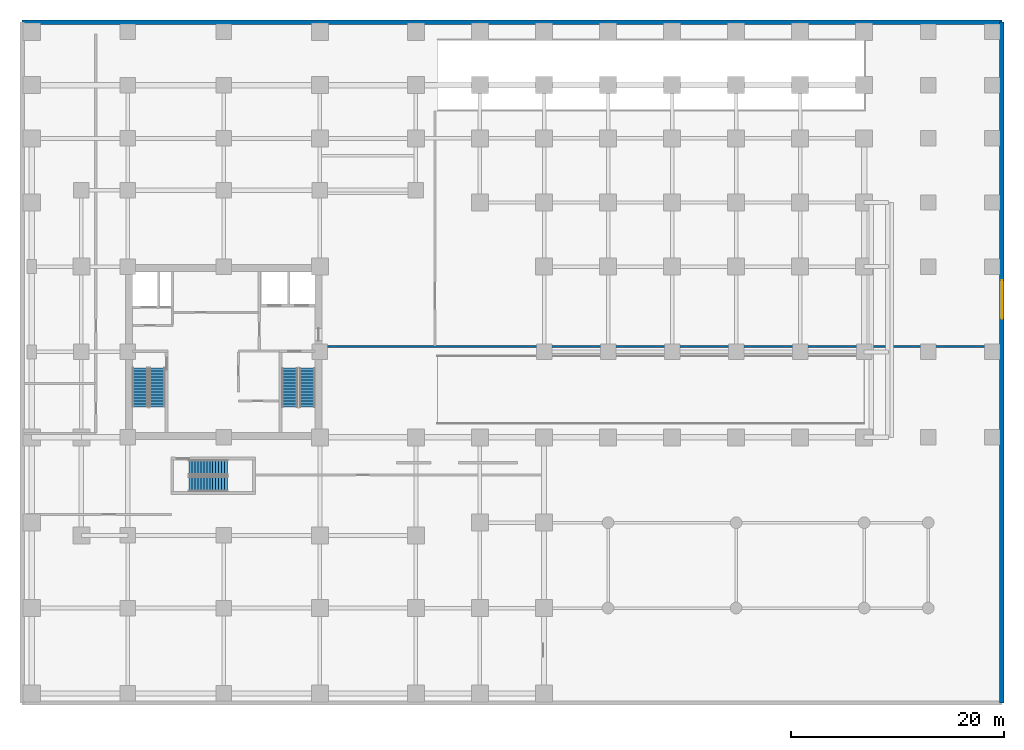
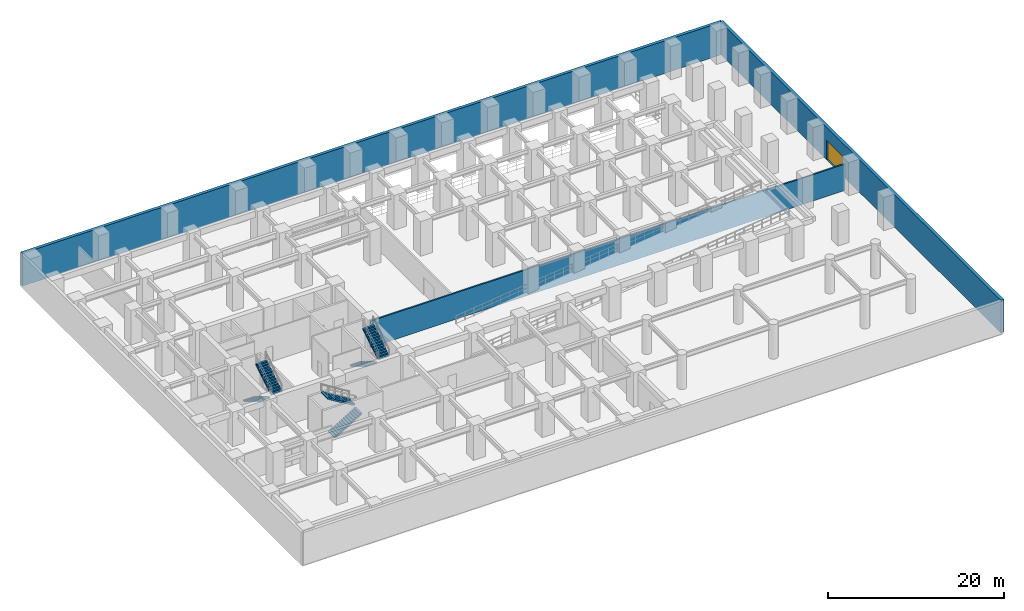
# One storey, part 7 of 9: 6 stair flights, 3 walls, 1 door, 1 opening, 3 elements without a shape of their own.
"""IFC4 building model written with IfcOpenShell, lengths in metres."""

from ifc_helpers import new_model, si_unit, direction, frame, frame_2d, origin, place, context, subcontext, project, spatial, polyline, rectangle, outline, extrude, source, transform, mapped, material, layer, layer_set, type_object, element, fill, aggregate, save


model = new_model("IFC4")

# Units and contexts
model_context = context("Model", 3, precision=1e-05, world=origin(), true_north=direction((0.0, 1.0)))
body_context = subcontext(model_context, "Body", "Model", "MODEL_VIEW")
ifc_project = project(units=[si_unit("LENGTHUNIT", "METRE"), si_unit("AREAUNIT", "SQUARE_METRE"), si_unit("VOLUMEUNIT", "CUBIC_METRE"), si_unit("PLANEANGLEUNIT", "RADIAN"), si_unit("MASSUNIT", "GRAM", prefix="KILO")], contexts=[model_context])

# Site, building, storey
site_placement = place(None, origin())
site = spatial("IfcSite", under=ifc_project, at=site_placement, CompositionType="ELEMENT")
building_placement = place(site_placement, origin())
building = spatial("IfcBuilding", under=site, at=building_placement, Name="Torre Montelarca", CompositionType="ELEMENT")
storey_placement = place(building_placement, frame((0.0, 0.0, -4.800048828125)))
storey = spatial("IfcBuildingStorey", under=building, at=storey_placement, Name="B1", CompositionType="ELEMENT", Elevation=-4.800048828125)

# Wall, opening, door
ifc_material_1 = material(Name="Concrete C40/50", Category="concrete")
ifc_layer_1 = layer(ifc_material_1, 0.39990234375, Name="Concrete C40/50", Category="concrete")
ifc_layer_set_1 = layer_set([ifc_layer_1], Name="Concrete C40/50")
wall_type_1 = type_object("IfcWallType", Name="EW-RET-400", PredefinedType="USERDEFINED", material=ifc_layer_set_1)
wall_1_placement = place(storey_placement, frame((90.89990234375, -0.89990234375, 0.0), z_axis=(0.0, 0.0, 1.0), x_axis=(0.0, 1.0, 0.0)))
wall_1 = element("IfcWall", 1, at=wall_1_placement, inside=storey, type_object=wall_type_1, Name="B1 Perimeter Basement Retaining Wall 02", ObjectType="RETAINING WALL", PredefinedType="USERDEFINED", context=body_context, shape_type="SweptSolid", body=[
    extrude(rectangle(XDim=63.7998046875, YDim=0.39990234375, at=frame_2d((31.89990234375, 0.0))), origin(), (0.0, 0.0, 1.0), 4.52001953125),
])
opening_placement = place(wall_1_placement, frame((36.0, 0.0, 0.0)))
opening = element("IfcOpeningElement", 2, at=opening_placement, cuts=wall_1, Name="Opening VG-02", PredefinedType="OPENING", context=body_context, shape_type="SweptSolid", body=[
    extrude(rectangle(XDim=3.60009765625, YDim=2.699951171875, at=frame_2d((1.800048828125, 1.35009765625))), frame((0.0, 0.2099609375, 0.0), z_axis=(0.0, -1.0, 0.0), x_axis=(1.0, 0.0, 0.0)), (0.0, 0.0, 1.0), 0.419921875),
])
ifc_material_2 = material(Name="Powder-coated galvanized steel and safety glass", Category="steel")
door_type = type_object("IfcDoorType", Name="DR-LOAD-GATE", OperationType="ROLLINGUP", PredefinedType="GATE", material=ifc_material_2)
shared_shape = source(origin(), body_context, "Body", "SweptSolid", [
    extrude(rectangle(XDim=3.60009765625, YDim=2.699951171875, at=frame_2d((1.800048828125, 1.35009765625))), frame((0.0, 0.02490234375, 0.0), z_axis=(0.0, -1.0, 0.0), x_axis=(1.0, 0.0, 0.0)), (0.0, 0.0, 1.0), 0.050048828125),
])
door_placement = place(opening_placement, origin())
door = element("IfcDoor", 3, at=door_placement, inside=storey, type_object=door_type, Name="B1 Loading Bay Subterranean Service Shutter Gate", OperationType="ROLLINGUP", OverallHeight=2.699951171875, OverallWidth=3.60009765625, PredefinedType="GATE", context=body_context, shape_type="MappedRepresentation", body=[
    mapped(shared_shape, transform((0.0, 0.0, 0.0), scale=1.0)),
])
fill(opening, door)

# Walls
wall_2_placement = place(storey_placement, frame((90.89990234375, 62.89990234375, 0.0), z_axis=(0.0, 0.0, 1.0), x_axis=(-1.0, 0.0, 0.0)))
element("IfcWall", 4, at=wall_2_placement, inside=storey, type_object=wall_type_1, Name="B1 Perimeter Basement Retaining Wall 03", ObjectType="RETAINING WALL", PredefinedType="USERDEFINED", context=body_context, shape_type="SweptSolid", body=[
    extrude(rectangle(XDim=91.7998046875, YDim=0.39990234375, at=frame_2d((45.89990234375, 0.0))), origin(), (0.0, 0.0, 1.0), 4.52001953125),
])
ifc_material_3 = material(Name="Gypsum fireboard and rockwool on steel stud", Category="steel")
ifc_layer_2 = layer(ifc_material_3, 0.199951171875, Name="Gypsum fireboard and rockwool on steel stud", Category="steel")
ifc_layer_set_2 = layer_set([ifc_layer_2], Name="Gypsum fireboard and rockwool on steel stud")
wall_type_2 = type_object("IfcWallType", Name="PW-FIRE-200", PredefinedType="SOLIDWALL", material=ifc_layer_set_2)
wall_3_placement = place(storey_placement, frame((27.239990234375, 32.5, 0.0), z_axis=(0.0, 0.0, 1.0), x_axis=(1.0, 0.0, 0.0)))
element("IfcWall", 5, at=wall_3_placement, inside=storey, type_object=wall_type_2, Name="B1 Interior Partition W-B1-P5S", PredefinedType="SOLIDWALL", context=body_context, shape_type="SweptSolid", body=[
    extrude(rectangle(XDim=62.219970703125, YDim=0.199951171875, at=frame_2d((31.10986328125, 0.0))), origin(), (0.0, 0.0, 1.0), 3.655029296875),
])

# Stair, stair flights
stair_type_1 = type_object("IfcStairType", Name="ST-CORE-ST1", PredefinedType="HALF_TURN_STAIR", material=ifc_material_1)
stair_1_placement = place(storey_placement, origin())
stair_1 = element("IfcStair", 6, at=stair_1_placement, inside=storey, type_object=stair_type_1, Name="B1 Protected Exit Stair ST1", PredefinedType="HALF_TURN_STAIR")
stair_flight_type_1 = type_object("IfcStairFlightType", Name="SFL-CORE-ST1", PredefinedType="STRAIGHT", material=ifc_material_1)
stair_flight_1_placement = place(storey_placement, frame((10.175048828125, 30.5, 0.0), z_axis=(0.0, 0.0, 1.0), x_axis=(0.0, -1.0, 0.0)))
stair_flight_1 = element("IfcStairFlight", 7, at=stair_flight_1_placement, type_object=stair_flight_type_1, Name="ST1 flight 1", NumberOfRisers=14, NumberOfTreads=13, PredefinedType="STRAIGHT", RiserHeight=0.171428571, TreadLength=0.28, context=body_context, shape_type="SweptSolid", body=[
    extrude(outline(polyline([(0.0, 0.0), (0.0, 0.17138671875), (0.280029296875, 0.17138671875), (0.280029296875, 0.3427734375), (0.56005859375, 0.3427734375), (0.56005859375, 0.514404296875), (0.840087890625, 0.514404296875), (0.840087890625, 0.685791015625), (1.1201171875, 0.685791015625), (1.1201171875, 0.857177734375), (1.39990234375, 0.857177734375), (1.39990234375, 1.028564453125), (1.679931640625, 1.028564453125), (1.679931640625, 1.199951171875), (1.9599609375, 1.199951171875), (1.9599609375, 1.371337890625), (2.239990234375, 1.371337890625), (2.239990234375, 1.54296875), (2.52001953125, 1.54296875), (2.52001953125, 1.71435546875), (2.800048828125, 1.71435546875), (2.800048828125, 1.8857421875), (3.080078125, 1.8857421875), (3.080078125, 2.05712890625), (3.360107421875, 2.05712890625), (3.360107421875, 2.228515625), (3.639892578125, 2.228515625), (3.639892578125, 2.39990234375), (3.639892578125, 2.052734375), (0.287109375, 0.0), (0.0, 0.0)])), frame((0.0, 0.72509765625, 0.0), z_axis=(0.0, -1.0, 0.0), x_axis=(1.0, 0.0, 0.0)), (0.0, 0.0, 1.0), 1.449951171875),
])
stair_flight_2_placement = place(storey_placement, frame((11.77490234375, 26.860107421875, 2.400146484375), z_axis=(0.0, 0.0, 1.0), x_axis=(0.0, 1.0, 0.0)))
stair_flight_2 = element("IfcStairFlight", 8, at=stair_flight_2_placement, type_object=stair_flight_type_1, Name="ST1 flight 2", NumberOfRisers=14, NumberOfTreads=13, PredefinedType="STRAIGHT", RiserHeight=0.171428571, TreadLength=0.28, context=body_context, shape_type="SweptSolid", body=[
    extrude(outline(polyline([(0.0, 0.0), (0.0, 0.17138671875), (0.280029296875, 0.17138671875), (0.280029296875, 0.3427734375), (0.56005859375, 0.3427734375), (0.56005859375, 0.514404296875), (0.840087890625, 0.514404296875), (0.840087890625, 0.685791015625), (1.1201171875, 0.685791015625), (1.1201171875, 0.857177734375), (1.39990234375, 0.857177734375), (1.39990234375, 1.028564453125), (1.679931640625, 1.028564453125), (1.679931640625, 1.199951171875), (1.9599609375, 1.199951171875), (1.9599609375, 1.371337890625), (2.239990234375, 1.371337890625), (2.239990234375, 1.54296875), (2.52001953125, 1.54296875), (2.52001953125, 1.71435546875), (2.800048828125, 1.71435546875), (2.800048828125, 1.8857421875), (3.080078125, 1.8857421875), (3.080078125, 2.05712890625), (3.360107421875, 2.05712890625), (3.360107421875, 2.228515625), (3.639892578125, 2.228515625), (3.639892578125, 2.39990234375), (3.639892578125, 2.052734375), (0.287109375, 0.0), (0.0, 0.0)])), frame((0.0, 0.72509765625, 0.0), z_axis=(0.0, -1.0, 0.0), x_axis=(1.0, 0.0, 0.0)), (0.0, 0.0, 1.0), 1.449951171875),
])
aggregate(stair_1, [stair_flight_1, stair_flight_2])

stair_type_2 = type_object("IfcStairType", Name="ST-CORE-ST2", PredefinedType="HALF_TURN_STAIR", material=ifc_material_1)
stair_2_placement = place(storey_placement, origin())
stair_2 = element("IfcStair", 9, at=stair_2_placement, inside=storey, type_object=stair_type_2, Name="B1 Protected Exit Stair ST2", PredefinedType="HALF_TURN_STAIR")
stair_flight_type_2 = type_object("IfcStairFlightType", Name="SFL-CORE-ST2", PredefinedType="STRAIGHT", material=ifc_material_1)
stair_flight_3_placement = place(storey_placement, frame((24.179931640625, 30.469970703125, 0.0), z_axis=(0.0, 0.0, 1.0), x_axis=(0.0, -1.0, 0.0)))
stair_flight_3 = element("IfcStairFlight", 10, at=stair_flight_3_placement, type_object=stair_flight_type_2, Name="ST2 flight 1", NumberOfRisers=14, NumberOfTreads=13, PredefinedType="STRAIGHT", RiserHeight=0.171428571, TreadLength=0.28, context=body_context, shape_type="SweptSolid", body=[
    extrude(outline(polyline([(0.0, 0.0), (0.0, 0.17138671875), (0.280029296875, 0.17138671875), (0.280029296875, 0.3427734375), (0.56005859375, 0.3427734375), (0.56005859375, 0.514404296875), (0.840087890625, 0.514404296875), (0.840087890625, 0.685791015625), (1.1201171875, 0.685791015625), (1.1201171875, 0.857177734375), (1.39990234375, 0.857177734375), (1.39990234375, 1.028564453125), (1.679931640625, 1.028564453125), (1.679931640625, 1.199951171875), (1.9599609375, 1.199951171875), (1.9599609375, 1.371337890625), (2.239990234375, 1.371337890625), (2.239990234375, 1.54296875), (2.52001953125, 1.54296875), (2.52001953125, 1.71435546875), (2.800048828125, 1.71435546875), (2.800048828125, 1.8857421875), (3.080078125, 1.8857421875), (3.080078125, 2.05712890625), (3.360107421875, 2.05712890625), (3.360107421875, 2.228515625), (3.639892578125, 2.228515625), (3.639892578125, 2.39990234375), (3.639892578125, 2.052734375), (0.287109375, 0.0), (0.0, 0.0)])), frame((0.0, 0.739990234375, 0.0), z_axis=(0.0, -1.0, 0.0), x_axis=(1.0, 0.0, 0.0)), (0.0, 0.0, 1.0), 1.47998046875),
])
stair_flight_4_placement = place(storey_placement, frame((25.81005859375, 26.830078125, 2.400146484375), z_axis=(0.0, 0.0, 1.0), x_axis=(0.0, 1.0, 0.0)))
stair_flight_4 = element("IfcStairFlight", 11, at=stair_flight_4_placement, type_object=stair_flight_type_2, Name="ST2 flight 2", NumberOfRisers=14, NumberOfTreads=13, PredefinedType="STRAIGHT", RiserHeight=0.171428571, TreadLength=0.28, context=body_context, shape_type="SweptSolid", body=[
    extrude(outline(polyline([(0.0, 0.0), (0.0, 0.17138671875), (0.280029296875, 0.17138671875), (0.280029296875, 0.3427734375), (0.56005859375, 0.3427734375), (0.56005859375, 0.514404296875), (0.840087890625, 0.514404296875), (0.840087890625, 0.685791015625), (1.1201171875, 0.685791015625), (1.1201171875, 0.857177734375), (1.39990234375, 0.857177734375), (1.39990234375, 1.028564453125), (1.679931640625, 1.028564453125), (1.679931640625, 1.199951171875), (1.9599609375, 1.199951171875), (1.9599609375, 1.371337890625), (2.239990234375, 1.371337890625), (2.239990234375, 1.54296875), (2.52001953125, 1.54296875), (2.52001953125, 1.71435546875), (2.800048828125, 1.71435546875), (2.800048828125, 1.8857421875), (3.080078125, 1.8857421875), (3.080078125, 2.05712890625), (3.360107421875, 2.05712890625), (3.360107421875, 2.228515625), (3.639892578125, 2.228515625), (3.639892578125, 2.39990234375), (3.639892578125, 2.052734375), (0.287109375, 0.0), (0.0, 0.0)])), frame((0.0, 0.739990234375, 0.0), z_axis=(0.0, -1.0, 0.0), x_axis=(1.0, 0.0, 0.0)), (0.0, 0.0, 1.0), 1.47998046875),
])
aggregate(stair_2, [stair_flight_3, stair_flight_4])

stair_type_3 = type_object("IfcStairType", Name="ST-CORE-ST3", PredefinedType="HALF_TURN_STAIR", material=ifc_material_1)
stair_3_placement = place(storey_placement, origin())
stair_3 = element("IfcStair", 12, at=stair_3_placement, inside=storey, type_object=stair_type_3, Name="B1 Low-Rise Exit Stair ST3", PredefinedType="HALF_TURN_STAIR")
stair_flight_type_3 = type_object("IfcStairFlightType", Name="SFL-CORE-ST3", PredefinedType="STRAIGHT", material=ifc_material_1)
stair_flight_5_placement = place(storey_placement, frame((14.719970703125, 19.610107421875, 0.0), z_axis=(0.0, 0.0, 1.0), x_axis=(1.0, 0.0, 0.0)))
stair_flight_5 = element("IfcStairFlight", 13, at=stair_flight_5_placement, type_object=stair_flight_type_3, Name="ST3 flight 1", NumberOfRisers=14, NumberOfTreads=13, PredefinedType="STRAIGHT", RiserHeight=0.171428571, TreadLength=0.28, context=body_context, shape_type="SweptSolid", body=[
    extrude(outline(polyline([(0.0, 0.0), (0.0, 0.17138671875), (0.280029296875, 0.17138671875), (0.280029296875, 0.3427734375), (0.56005859375, 0.3427734375), (0.56005859375, 0.514404296875), (0.840087890625, 0.514404296875), (0.840087890625, 0.685791015625), (1.1201171875, 0.685791015625), (1.1201171875, 0.857177734375), (1.39990234375, 0.857177734375), (1.39990234375, 1.028564453125), (1.679931640625, 1.028564453125), (1.679931640625, 1.199951171875), (1.9599609375, 1.199951171875), (1.9599609375, 1.371337890625), (2.239990234375, 1.371337890625), (2.239990234375, 1.54296875), (2.52001953125, 1.54296875), (2.52001953125, 1.71435546875), (2.800048828125, 1.71435546875), (2.800048828125, 1.8857421875), (3.080078125, 1.8857421875), (3.080078125, 2.05712890625), (3.360107421875, 2.05712890625), (3.360107421875, 2.228515625), (3.639892578125, 2.228515625), (3.639892578125, 2.39990234375), (3.639892578125, 2.052734375), (0.287109375, 0.0), (0.0, 0.0)])), frame((0.0, 0.7099609375, 0.0), z_axis=(0.0, -1.0, 0.0), x_axis=(1.0, 0.0, 0.0)), (0.0, 0.0, 1.0), 1.419921875),
])
stair_flight_6_placement = place(storey_placement, frame((18.360107421875, 21.179931640625, 2.400146484375), z_axis=(0.0, 0.0, 1.0), x_axis=(-1.0, 0.0, 0.0)))
stair_flight_6 = element("IfcStairFlight", 14, at=stair_flight_6_placement, type_object=stair_flight_type_3, Name="ST3 flight 2", NumberOfRisers=14, NumberOfTreads=13, PredefinedType="STRAIGHT", RiserHeight=0.171428571, TreadLength=0.28, context=body_context, shape_type="SweptSolid", body=[
    extrude(outline(polyline([(0.0, 0.0), (0.0, 0.17138671875), (0.280029296875, 0.17138671875), (0.280029296875, 0.3427734375), (0.56005859375, 0.3427734375), (0.56005859375, 0.514404296875), (0.840087890625, 0.514404296875), (0.840087890625, 0.685791015625), (1.1201171875, 0.685791015625), (1.1201171875, 0.857177734375), (1.39990234375, 0.857177734375), (1.39990234375, 1.028564453125), (1.679931640625, 1.028564453125), (1.679931640625, 1.199951171875), (1.9599609375, 1.199951171875), (1.9599609375, 1.371337890625), (2.239990234375, 1.371337890625), (2.239990234375, 1.54296875), (2.52001953125, 1.54296875), (2.52001953125, 1.71435546875), (2.800048828125, 1.71435546875), (2.800048828125, 1.8857421875), (3.080078125, 1.8857421875), (3.080078125, 2.05712890625), (3.360107421875, 2.05712890625), (3.360107421875, 2.228515625), (3.639892578125, 2.228515625), (3.639892578125, 2.39990234375), (3.639892578125, 2.052734375), (0.287109375, 0.0), (0.0, 0.0)])), frame((0.0, 0.7099609375, 0.0), z_axis=(0.0, -1.0, 0.0), x_axis=(1.0, 0.0, 0.0)), (0.0, 0.0, 1.0), 1.419921875),
])
aggregate(stair_3, [stair_flight_5, stair_flight_6])

save(model, "model.ifc")
